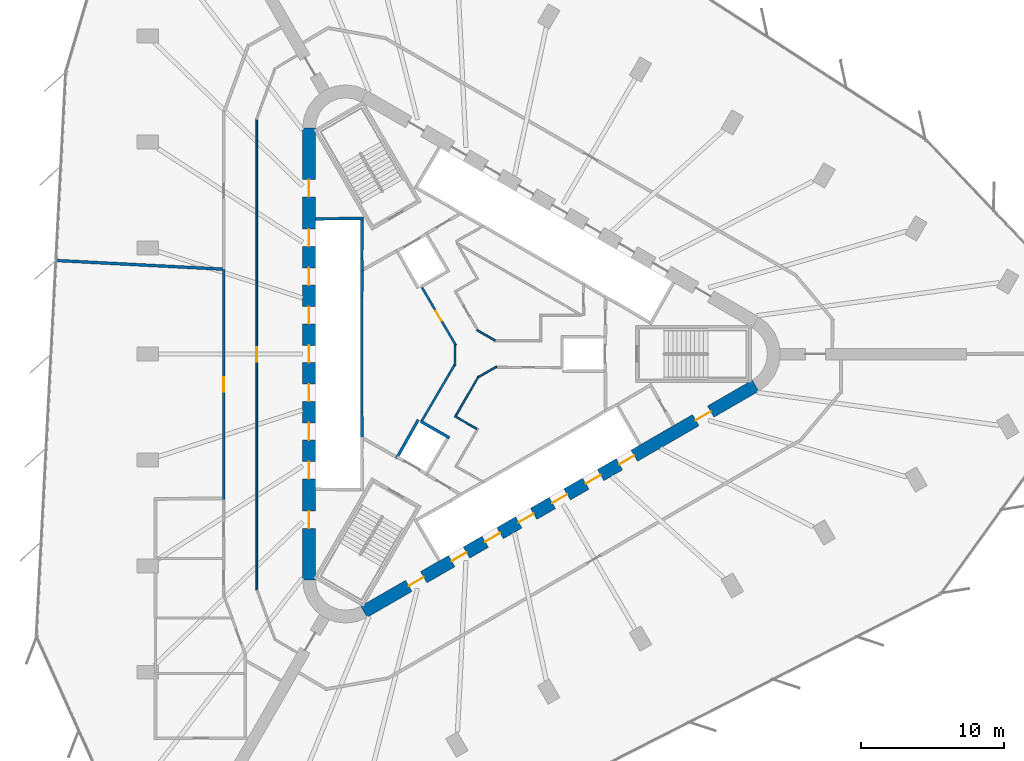
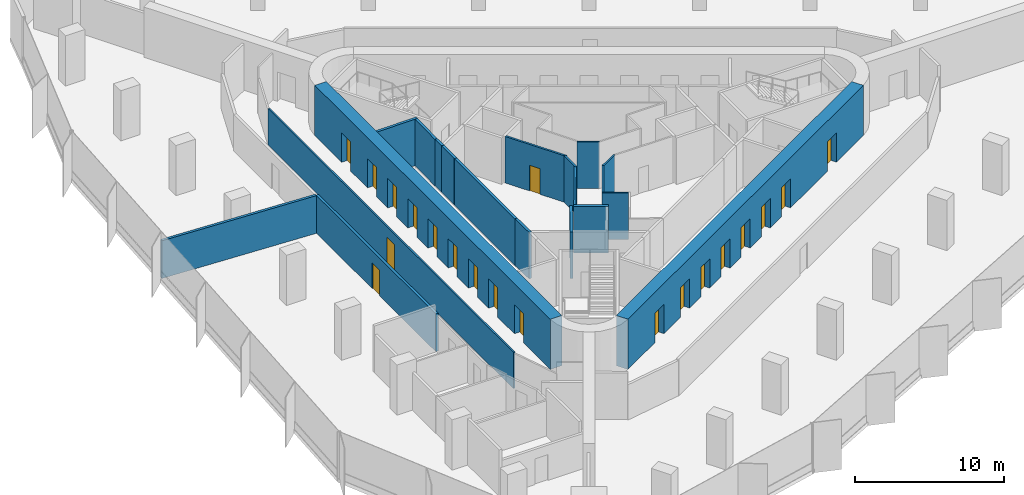
# One storey, part 10 of 14: 20 doors, 20 walls, 20 openings.
"""IFC4 building model written with IfcOpenShell, lengths in metres."""

from ifc_helpers import new_model, si_unit, direction, frame, frame_2d, origin, place, context, subcontext, project, spatial, rectangle, extrude, material, layer, layer_set, type_object, element, fill, save


model = new_model("IFC4")

# Units and contexts
model_context = context("Model", 3, precision=1e-05, world=origin(), true_north=direction((0.0, 1.0)))
body_context = subcontext(model_context, "Body", "Model", "MODEL_VIEW")
ifc_project = project(units=[si_unit("LENGTHUNIT", "METRE"), si_unit("AREAUNIT", "SQUARE_METRE"), si_unit("VOLUMEUNIT", "CUBIC_METRE"), si_unit("PLANEANGLEUNIT", "RADIAN"), si_unit("MASSUNIT", "GRAM", prefix="KILO")], contexts=[model_context])

# Site, building, storey
site_placement = place(None, origin())
site = spatial("IfcSite", under=ifc_project, at=site_placement, CompositionType="ELEMENT")
building_placement = place(site_placement, origin())
building = spatial("IfcBuilding", under=site, at=building_placement, Name="Tanit Gate Tower", CompositionType="ELEMENT")
storey_placement = place(building_placement, frame((0.0, 0.0, 115.199951171875)))
storey = spatial("IfcBuildingStorey", under=building, at=storey_placement, Name="L24", CompositionType="ELEMENT", Elevation=115.199951171875)

# Wall, openings, doors
ifc_material_1 = material(Name="Concrete C60/75", Category="concrete")
ifc_layer_1 = layer(ifc_material_1, 0.89990234375)
ifc_layer_set_1 = layer_set([ifc_layer_1], Name="CORE WALL 900 C60/75")
wall_type_1 = type_object("IfcWallType", Name="CORE WALL 900 C60/75", PredefinedType="SHEAR", material=ifc_layer_set_1)
wall_1_placement = place(storey_placement, frame((-11.64990234375, 15.76171875, 0.0), z_axis=(0.0, 0.0, 1.0), x_axis=(0.0, -1.0, 0.0)))
wall_1 = element("IfcWall", 1, at=wall_1_placement, inside=storey, type_object=wall_type_1, Name="CORE WALL", PredefinedType="SHEAR", context=body_context, shape_type="SweptSolid", body=[
    extrude(rectangle(XDim=31.5234375, YDim=0.89990234375, at=frame_2d((15.76171875, 0.0))), origin(), (0.0, 0.0, 1.0), 4.10009765625),
])
opening_1_placement = place(wall_1_placement, frame((7.061767578125, 0.0, 0.0)))
opening_1 = element("IfcOpeningElement", 2, at=opening_1_placement, cuts=wall_1, Name="Opening LDLL1-S05", PredefinedType="OPENING", context=body_context, shape_type="SweptSolid", body=[
    extrude(rectangle(XDim=1.199951171875, YDim=2.39990234375, at=frame_2d((0.60009765625, 1.199951171875))), frame((0.0, 0.4599609375, 0.0), z_axis=(0.0, -1.0, 0.0), x_axis=(1.0, 0.0, 0.0)), (0.0, 0.0, 1.0), 0.919921875),
])
opening_2_placement = place(wall_1_placement, frame((9.76171875, 0.0, 0.0)))
opening_2 = element("IfcOpeningElement", 3, at=opening_2_placement, cuts=wall_1, Name="Opening LDLL2-S05", PredefinedType="OPENING", context=body_context, shape_type="SweptSolid", body=[
    extrude(rectangle(XDim=1.199951171875, YDim=2.39990234375, at=frame_2d((0.60009765625, 1.199951171875))), frame((0.0, 0.4599609375, 0.0), z_axis=(0.0, -1.0, 0.0), x_axis=(1.0, 0.0, 0.0)), (0.0, 0.0, 1.0), 0.919921875),
])
opening_3_placement = place(wall_1_placement, frame((12.461669921875, 0.0, 0.0)))
opening_3 = element("IfcOpeningElement", 4, at=opening_3_placement, cuts=wall_1, Name="Opening LDLL3-S05", PredefinedType="OPENING", context=body_context, shape_type="SweptSolid", body=[
    extrude(rectangle(XDim=1.199951171875, YDim=2.39990234375, at=frame_2d((0.60009765625, 1.199951171875))), frame((0.0, 0.4599609375, 0.0), z_axis=(0.0, -1.0, 0.0), x_axis=(1.0, 0.0, 0.0)), (0.0, 0.0, 1.0), 0.919921875),
])
opening_4_placement = place(wall_1_placement, frame((15.16162109375, 0.0, 0.0)))
opening_4 = element("IfcOpeningElement", 5, at=opening_4_placement, cuts=wall_1, Name="Opening LDLL4-S05", PredefinedType="OPENING", context=body_context, shape_type="SweptSolid", body=[
    extrude(rectangle(XDim=1.199951171875, YDim=2.39990234375, at=frame_2d((0.60009765625, 1.199951171875))), frame((0.0, 0.4599609375, 0.0), z_axis=(0.0, -1.0, 0.0), x_axis=(1.0, 0.0, 0.0)), (0.0, 0.0, 1.0), 0.919921875),
])
opening_5_placement = place(wall_1_placement, frame((17.86181640625, 0.0, 0.0)))
opening_5 = element("IfcOpeningElement", 6, at=opening_5_placement, cuts=wall_1, Name="Opening LDLL5-S05", PredefinedType="OPENING", context=body_context, shape_type="SweptSolid", body=[
    extrude(rectangle(XDim=1.199951171875, YDim=2.39990234375, at=frame_2d((0.60009765625, 1.199951171875))), frame((0.0, 0.4599609375, 0.0), z_axis=(0.0, -1.0, 0.0), x_axis=(1.0, 0.0, 0.0)), (0.0, 0.0, 1.0), 0.919921875),
])
opening_6_placement = place(wall_1_placement, frame((20.561767578125, 0.0, 0.0)))
opening_6 = element("IfcOpeningElement", 7, at=opening_6_placement, cuts=wall_1, Name="Opening LDLL6-S05", PredefinedType="OPENING", context=body_context, shape_type="SweptSolid", body=[
    extrude(rectangle(XDim=1.199951171875, YDim=2.39990234375, at=frame_2d((0.60009765625, 1.199951171875))), frame((0.0, 0.4599609375, 0.0), z_axis=(0.0, -1.0, 0.0), x_axis=(1.0, 0.0, 0.0)), (0.0, 0.0, 1.0), 0.919921875),
])
opening_7_placement = place(wall_1_placement, frame((23.26171875, 0.0, 0.0)))
opening_7 = element("IfcOpeningElement", 8, at=opening_7_placement, cuts=wall_1, Name="Opening LDLL7-S05", PredefinedType="OPENING", context=body_context, shape_type="SweptSolid", body=[
    extrude(rectangle(XDim=1.199951171875, YDim=2.39990234375, at=frame_2d((0.60009765625, 1.199951171875))), frame((0.0, 0.4599609375, 0.0), z_axis=(0.0, -1.0, 0.0), x_axis=(1.0, 0.0, 0.0)), (0.0, 0.0, 1.0), 0.919921875),
])
opening_8_placement = place(wall_1_placement, frame((3.61181640625, 0.0, 0.0)))
opening_8 = element("IfcOpeningElement", 9, at=opening_8_placement, cuts=wall_1, Name="Opening F12-S05-FL2", PredefinedType="OPENING", context=body_context, shape_type="SweptSolid", body=[
    extrude(rectangle(XDim=1.199951171875, YDim=2.39990234375, at=frame_2d((0.60009765625, 1.199951171875))), frame((0.0, 0.4599609375, 0.0), z_axis=(0.0, -1.0, 0.0), x_axis=(1.0, 0.0, 0.0)), (0.0, 0.0, 1.0), 0.919921875),
])
opening_9_placement = place(wall_1_placement, frame((26.711669921875, 0.0, 0.0)))
opening_9 = element("IfcOpeningElement", 10, at=opening_9_placement, cuts=wall_1, Name="Opening F12-S05-S3", PredefinedType="OPENING", context=body_context, shape_type="SweptSolid", body=[
    extrude(rectangle(XDim=1.199951171875, YDim=2.39990234375, at=frame_2d((0.60009765625, 1.199951171875))), frame((0.0, 0.4599609375, 0.0), z_axis=(0.0, -1.0, 0.0), x_axis=(1.0, 0.0, 0.0)), (0.0, 0.0, 1.0), 0.919921875),
])
ifc_material_2 = material(Name="Fire-rated steel door leaf", Category="steel")
door_type_1 = type_object("IfcDoorType", Name="INT-DOOR-FIRE-LOBBY-1200", OperationType="NOTDEFINED", PredefinedType="USERDEFINED", material=ifc_material_2)
door_1_placement = place(opening_8_placement, origin())
door_1 = element("IfcDoor", 11, at=door_1_placement, inside=storey, type_object=door_type_1, Name="Door F12-S05-FL2", ObjectType="FIRE DOOR", OperationType="SINGLE_SWING_LEFT", OverallHeight=2.39990234375, OverallWidth=1.199951171875, PredefinedType="USERDEFINED", context=body_context, shape_type="SweptSolid", body=[
    extrude(rectangle(XDim=1.199951171875, YDim=2.39990234375, at=frame_2d((0.60009765625, 1.199951171875))), frame((0.0, 0.02490234375, 0.0), z_axis=(0.0, -1.0, 0.0), x_axis=(1.0, 0.0, 0.0)), (0.0, 0.0, 1.0), 0.050048828125),
])
fill(opening_8, door_1)
door_2_placement = place(opening_9_placement, origin())
door_2 = element("IfcDoor", 12, at=door_2_placement, inside=storey, type_object=door_type_1, Name="Door F12-S05-S3", ObjectType="FIRE DOOR", OperationType="SINGLE_SWING_LEFT", OverallHeight=2.39990234375, OverallWidth=1.199951171875, PredefinedType="USERDEFINED", context=body_context, shape_type="SweptSolid", body=[
    extrude(rectangle(XDim=1.199951171875, YDim=2.39990234375, at=frame_2d((0.60009765625, 1.199951171875))), frame((0.0, 0.02490234375, 0.0), z_axis=(0.0, -1.0, 0.0), x_axis=(1.0, 0.0, 0.0)), (0.0, 0.0, 1.0), 0.050048828125),
])
fill(opening_9, door_2)
ifc_material_3 = material(Name="Stainless steel sliding door leaf", Category="steel")
door_type_2 = type_object("IfcDoorType", Name="INT-DOOR-LANDING-1200", OperationType="NOTDEFINED", PredefinedType="USERDEFINED", material=ifc_material_3)
door_3_placement = place(opening_1_placement, origin())
door_3 = element("IfcDoor", 13, at=door_3_placement, inside=storey, type_object=door_type_2, Name="Door LDLL1-S05", ObjectType="LANDING DOOR", OperationType="SLIDING_TO_LEFT", OverallHeight=2.39990234375, OverallWidth=1.199951171875, PredefinedType="USERDEFINED", context=body_context, shape_type="SweptSolid", body=[
    extrude(rectangle(XDim=1.199951171875, YDim=2.39990234375, at=frame_2d((0.60009765625, 1.199951171875))), frame((0.0, 0.02490234375, 0.0), z_axis=(0.0, -1.0, 0.0), x_axis=(1.0, 0.0, 0.0)), (0.0, 0.0, 1.0), 0.050048828125),
])
fill(opening_1, door_3)
door_4_placement = place(opening_2_placement, origin())
door_4 = element("IfcDoor", 14, at=door_4_placement, inside=storey, type_object=door_type_2, Name="Door LDLL2-S05", ObjectType="LANDING DOOR", OperationType="SLIDING_TO_LEFT", OverallHeight=2.39990234375, OverallWidth=1.199951171875, PredefinedType="USERDEFINED", context=body_context, shape_type="SweptSolid", body=[
    extrude(rectangle(XDim=1.199951171875, YDim=2.39990234375, at=frame_2d((0.60009765625, 1.199951171875))), frame((0.0, 0.02490234375, 0.0), z_axis=(0.0, -1.0, 0.0), x_axis=(1.0, 0.0, 0.0)), (0.0, 0.0, 1.0), 0.050048828125),
])
fill(opening_2, door_4)
door_5_placement = place(opening_3_placement, origin())
door_5 = element("IfcDoor", 15, at=door_5_placement, inside=storey, type_object=door_type_2, Name="Door LDLL3-S05", ObjectType="LANDING DOOR", OperationType="SLIDING_TO_LEFT", OverallHeight=2.39990234375, OverallWidth=1.199951171875, PredefinedType="USERDEFINED", context=body_context, shape_type="SweptSolid", body=[
    extrude(rectangle(XDim=1.199951171875, YDim=2.39990234375, at=frame_2d((0.60009765625, 1.199951171875))), frame((0.0, 0.02490234375, 0.0), z_axis=(0.0, -1.0, 0.0), x_axis=(1.0, 0.0, 0.0)), (0.0, 0.0, 1.0), 0.050048828125),
])
fill(opening_3, door_5)
door_6_placement = place(opening_4_placement, origin())
door_6 = element("IfcDoor", 16, at=door_6_placement, inside=storey, type_object=door_type_2, Name="Door LDLL4-S05", ObjectType="LANDING DOOR", OperationType="SLIDING_TO_LEFT", OverallHeight=2.39990234375, OverallWidth=1.199951171875, PredefinedType="USERDEFINED", context=body_context, shape_type="SweptSolid", body=[
    extrude(rectangle(XDim=1.199951171875, YDim=2.39990234375, at=frame_2d((0.60009765625, 1.199951171875))), frame((0.0, 0.02490234375, 0.0), z_axis=(0.0, -1.0, 0.0), x_axis=(1.0, 0.0, 0.0)), (0.0, 0.0, 1.0), 0.050048828125),
])
fill(opening_4, door_6)
door_7_placement = place(opening_5_placement, origin())
door_7 = element("IfcDoor", 17, at=door_7_placement, inside=storey, type_object=door_type_2, Name="Door LDLL5-S05", ObjectType="LANDING DOOR", OperationType="SLIDING_TO_LEFT", OverallHeight=2.39990234375, OverallWidth=1.199951171875, PredefinedType="USERDEFINED", context=body_context, shape_type="SweptSolid", body=[
    extrude(rectangle(XDim=1.199951171875, YDim=2.39990234375, at=frame_2d((0.60009765625, 1.199951171875))), frame((0.0, 0.02490234375, 0.0), z_axis=(0.0, -1.0, 0.0), x_axis=(1.0, 0.0, 0.0)), (0.0, 0.0, 1.0), 0.050048828125),
])
fill(opening_5, door_7)
door_8_placement = place(opening_6_placement, origin())
door_8 = element("IfcDoor", 18, at=door_8_placement, inside=storey, type_object=door_type_2, Name="Door LDLL6-S05", ObjectType="LANDING DOOR", OperationType="SLIDING_TO_LEFT", OverallHeight=2.39990234375, OverallWidth=1.199951171875, PredefinedType="USERDEFINED", context=body_context, shape_type="SweptSolid", body=[
    extrude(rectangle(XDim=1.199951171875, YDim=2.39990234375, at=frame_2d((0.60009765625, 1.199951171875))), frame((0.0, 0.02490234375, 0.0), z_axis=(0.0, -1.0, 0.0), x_axis=(1.0, 0.0, 0.0)), (0.0, 0.0, 1.0), 0.050048828125),
])
fill(opening_6, door_8)
door_9_placement = place(opening_7_placement, origin())
door_9 = element("IfcDoor", 19, at=door_9_placement, inside=storey, type_object=door_type_2, Name="Door LDLL7-S05", ObjectType="LANDING DOOR", OperationType="SLIDING_TO_LEFT", OverallHeight=2.39990234375, OverallWidth=1.199951171875, PredefinedType="USERDEFINED", context=body_context, shape_type="SweptSolid", body=[
    extrude(rectangle(XDim=1.199951171875, YDim=2.39990234375, at=frame_2d((0.60009765625, 1.199951171875))), frame((0.0, 0.02490234375, 0.0), z_axis=(0.0, -1.0, 0.0), x_axis=(1.0, 0.0, 0.0)), (0.0, 0.0, 1.0), 0.050048828125),
])
fill(opening_7, door_9)

wall_2_placement = place(storey_placement, frame((-7.824951171875, -17.969970703125, 0.0), z_axis=(0.0, 0.0, 1.0), x_axis=(0.866028369851, 0.499994862586, 0.0)))
wall_2 = element("IfcWall", 20, at=wall_2_placement, inside=storey, type_object=wall_type_1, Name="CORE WALL", PredefinedType="SHEAR", context=body_context, shape_type="SweptSolid", body=[
    extrude(rectangle(XDim=31.523193359375, YDim=0.89990234375, at=frame_2d((15.76171875, 0.0))), origin(), (0.0, 0.0, 1.0), 4.10009765625),
])
opening_10_placement = place(wall_2_placement, frame((7.061767578125, 0.0, 0.0)))
opening_10 = element("IfcOpeningElement", 21, at=opening_10_placement, cuts=wall_2, Name="Opening LDSX1-S05", PredefinedType="OPENING", context=body_context, shape_type="SweptSolid", body=[
    extrude(rectangle(XDim=1.199951171875, YDim=2.39990234375, at=frame_2d((0.60009765625, 1.199951171875))), frame((0.0, 0.4599609375, 0.0), z_axis=(0.0, -1.0, 0.0), x_axis=(1.0, 0.0, 0.0)), (0.0, 0.0, 1.0), 0.919921875),
])
opening_11_placement = place(wall_2_placement, frame((9.76171875, 0.0, 0.0)))
opening_11 = element("IfcOpeningElement", 22, at=opening_11_placement, cuts=wall_2, Name="Opening LDSX2-S05", PredefinedType="OPENING", context=body_context, shape_type="SweptSolid", body=[
    extrude(rectangle(XDim=1.199951171875, YDim=2.39990234375, at=frame_2d((0.60009765625, 1.199951171875))), frame((0.0, 0.4599609375, 0.0), z_axis=(0.0, -1.0, 0.0), x_axis=(1.0, 0.0, 0.0)), (0.0, 0.0, 1.0), 0.919921875),
])
opening_12_placement = place(wall_2_placement, frame((12.461669921875, 0.0, 0.0)))
opening_12 = element("IfcOpeningElement", 23, at=opening_12_placement, cuts=wall_2, Name="Opening LDSX3-S05", PredefinedType="OPENING", context=body_context, shape_type="SweptSolid", body=[
    extrude(rectangle(XDim=1.199951171875, YDim=2.39990234375, at=frame_2d((0.60009765625, 1.199951171875))), frame((0.0, 0.4599609375, 0.0), z_axis=(0.0, -1.0, 0.0), x_axis=(1.0, 0.0, 0.0)), (0.0, 0.0, 1.0), 0.919921875),
])
opening_13_placement = place(wall_2_placement, frame((15.16162109375, 0.0, 0.0)))
opening_13 = element("IfcOpeningElement", 24, at=opening_13_placement, cuts=wall_2, Name="Opening LDSX4-S05", PredefinedType="OPENING", context=body_context, shape_type="SweptSolid", body=[
    extrude(rectangle(XDim=1.199951171875, YDim=2.39990234375, at=frame_2d((0.60009765625, 1.199951171875))), frame((0.0, 0.4599609375, 0.0), z_axis=(0.0, -1.0, 0.0), x_axis=(1.0, 0.0, 0.0)), (0.0, 0.0, 1.0), 0.919921875),
])
opening_14_placement = place(wall_2_placement, frame((17.861572265625, 0.0, 0.0)))
opening_14 = element("IfcOpeningElement", 25, at=opening_14_placement, cuts=wall_2, Name="Opening LDSV1-S05", PredefinedType="OPENING", context=body_context, shape_type="SweptSolid", body=[
    extrude(rectangle(XDim=1.199951171875, YDim=2.39990234375, at=frame_2d((0.60009765625, 1.199951171875))), frame((0.0, 0.4599609375, 0.0), z_axis=(0.0, -1.0, 0.0), x_axis=(1.0, 0.0, 0.0)), (0.0, 0.0, 1.0), 0.919921875),
])
opening_15_placement = place(wall_2_placement, frame((20.561767578125, 0.0, 0.0)))
opening_15 = element("IfcOpeningElement", 26, at=opening_15_placement, cuts=wall_2, Name="Opening LDSV2-S05", PredefinedType="OPENING", context=body_context, shape_type="SweptSolid", body=[
    extrude(rectangle(XDim=1.199951171875, YDim=2.39990234375, at=frame_2d((0.60009765625, 1.199951171875))), frame((0.0, 0.4599609375, 0.0), z_axis=(0.0, -1.0, 0.0), x_axis=(1.0, 0.0, 0.0)), (0.0, 0.0, 1.0), 0.919921875),
])
opening_16_placement = place(wall_2_placement, frame((26.711669921875, 0.0, 0.0)))
opening_16 = element("IfcOpeningElement", 27, at=opening_16_placement, cuts=wall_2, Name="Opening F12-S05-S1", PredefinedType="OPENING", context=body_context, shape_type="SweptSolid", body=[
    extrude(rectangle(XDim=1.199951171875, YDim=2.39990234375, at=frame_2d((0.60009765625, 1.199951171875))), frame((0.0, 0.4599609375, 0.0), z_axis=(0.0, -1.0, 0.0), x_axis=(1.0, 0.0, 0.0)), (0.0, 0.0, 1.0), 0.919921875),
])
opening_17_placement = place(wall_2_placement, frame((3.611572265625, 0.0, 0.0)))
opening_17 = element("IfcOpeningElement", 28, at=opening_17_placement, cuts=wall_2, Name="Opening F12-S05-FL3", PredefinedType="OPENING", context=body_context, shape_type="SweptSolid", body=[
    extrude(rectangle(XDim=1.199951171875, YDim=2.39990234375, at=frame_2d((0.60009765625, 1.199951171875))), frame((0.0, 0.4599609375, 0.0), z_axis=(0.0, -1.0, 0.0), x_axis=(1.0, 0.0, 0.0)), (0.0, 0.0, 1.0), 0.919921875),
])
door_10_placement = place(opening_16_placement, origin())
door_10 = element("IfcDoor", 29, at=door_10_placement, inside=storey, type_object=door_type_1, Name="Door F12-S05-S1", ObjectType="FIRE DOOR", OperationType="SINGLE_SWING_RIGHT", OverallHeight=2.39990234375, OverallWidth=1.199951171875, PredefinedType="USERDEFINED", context=body_context, shape_type="SweptSolid", body=[
    extrude(rectangle(XDim=1.199951171875, YDim=2.39990234375, at=frame_2d((0.60009765625, 1.199951171875))), frame((0.0, 0.02490234375, 0.0), z_axis=(0.0, -1.0, 0.0), x_axis=(1.0, 0.0, 0.0)), (0.0, 0.0, 1.0), 0.050048828125),
])
fill(opening_16, door_10)
door_11_placement = place(opening_17_placement, origin())
door_11 = element("IfcDoor", 30, at=door_11_placement, inside=storey, type_object=door_type_1, Name="Door F12-S05-FL3", ObjectType="FIRE DOOR", OperationType="SINGLE_SWING_RIGHT", OverallHeight=2.39990234375, OverallWidth=1.199951171875, PredefinedType="USERDEFINED", context=body_context, shape_type="SweptSolid", body=[
    extrude(rectangle(XDim=1.199951171875, YDim=2.39990234375, at=frame_2d((0.60009765625, 1.199951171875))), frame((0.0, 0.02490234375, 0.0), z_axis=(0.0, -1.0, 0.0), x_axis=(1.0, 0.0, 0.0)), (0.0, 0.0, 1.0), 0.050048828125),
])
fill(opening_17, door_11)
door_12_placement = place(opening_10_placement, origin())
door_12 = element("IfcDoor", 31, at=door_12_placement, inside=storey, type_object=door_type_2, Name="Door LDSX1-S05", ObjectType="LANDING DOOR", OperationType="SLIDING_TO_LEFT", OverallHeight=2.39990234375, OverallWidth=1.199951171875, PredefinedType="USERDEFINED", context=body_context, shape_type="SweptSolid", body=[
    extrude(rectangle(XDim=1.199951171875, YDim=2.39990234375, at=frame_2d((0.60009765625, 1.199951171875))), frame((0.0, 0.02490234375, 0.0), z_axis=(0.0, -1.0, 0.0), x_axis=(1.0, 0.0, 0.0)), (0.0, 0.0, 1.0), 0.050048828125),
])
fill(opening_10, door_12)
door_13_placement = place(opening_11_placement, origin())
door_13 = element("IfcDoor", 32, at=door_13_placement, inside=storey, type_object=door_type_2, Name="Door LDSX2-S05", ObjectType="LANDING DOOR", OperationType="SLIDING_TO_LEFT", OverallHeight=2.39990234375, OverallWidth=1.199951171875, PredefinedType="USERDEFINED", context=body_context, shape_type="SweptSolid", body=[
    extrude(rectangle(XDim=1.199951171875, YDim=2.39990234375, at=frame_2d((0.60009765625, 1.199951171875))), frame((0.0, 0.02490234375, 0.0), z_axis=(0.0, -1.0, 0.0), x_axis=(1.0, 0.0, 0.0)), (0.0, 0.0, 1.0), 0.050048828125),
])
fill(opening_11, door_13)
door_14_placement = place(opening_12_placement, origin())
door_14 = element("IfcDoor", 33, at=door_14_placement, inside=storey, type_object=door_type_2, Name="Door LDSX3-S05", ObjectType="LANDING DOOR", OperationType="SLIDING_TO_LEFT", OverallHeight=2.39990234375, OverallWidth=1.199951171875, PredefinedType="USERDEFINED", context=body_context, shape_type="SweptSolid", body=[
    extrude(rectangle(XDim=1.199951171875, YDim=2.39990234375, at=frame_2d((0.60009765625, 1.199951171875))), frame((0.0, 0.02490234375, 0.0), z_axis=(0.0, -1.0, 0.0), x_axis=(1.0, 0.0, 0.0)), (0.0, 0.0, 1.0), 0.050048828125),
])
fill(opening_12, door_14)
door_15_placement = place(opening_13_placement, origin())
door_15 = element("IfcDoor", 34, at=door_15_placement, inside=storey, type_object=door_type_2, Name="Door LDSX4-S05", ObjectType="LANDING DOOR", OperationType="SLIDING_TO_LEFT", OverallHeight=2.39990234375, OverallWidth=1.199951171875, PredefinedType="USERDEFINED", context=body_context, shape_type="SweptSolid", body=[
    extrude(rectangle(XDim=1.199951171875, YDim=2.39990234375, at=frame_2d((0.60009765625, 1.199951171875))), frame((0.0, 0.02490234375, 0.0), z_axis=(0.0, -1.0, 0.0), x_axis=(1.0, 0.0, 0.0)), (0.0, 0.0, 1.0), 0.050048828125),
])
fill(opening_13, door_15)
door_16_placement = place(opening_14_placement, origin())
door_16 = element("IfcDoor", 35, at=door_16_placement, inside=storey, type_object=door_type_2, Name="Door LDSV1-S05", ObjectType="LANDING DOOR", OperationType="SLIDING_TO_LEFT", OverallHeight=2.39990234375, OverallWidth=1.199951171875, PredefinedType="USERDEFINED", context=body_context, shape_type="SweptSolid", body=[
    extrude(rectangle(XDim=1.199951171875, YDim=2.39990234375, at=frame_2d((0.60009765625, 1.199951171875))), frame((0.0, 0.02490234375, 0.0), z_axis=(0.0, -1.0, 0.0), x_axis=(1.0, 0.0, 0.0)), (0.0, 0.0, 1.0), 0.050048828125),
])
fill(opening_14, door_16)
door_17_placement = place(opening_15_placement, origin())
door_17 = element("IfcDoor", 36, at=door_17_placement, inside=storey, type_object=door_type_2, Name="Door LDSV2-S05", ObjectType="LANDING DOOR", OperationType="SLIDING_TO_LEFT", OverallHeight=2.39990234375, OverallWidth=1.199951171875, PredefinedType="USERDEFINED", context=body_context, shape_type="SweptSolid", body=[
    extrude(rectangle(XDim=1.199951171875, YDim=2.39990234375, at=frame_2d((0.60009765625, 1.199951171875))), frame((0.0, 0.02490234375, 0.0), z_axis=(0.0, -1.0, 0.0), x_axis=(1.0, 0.0, 0.0)), (0.0, 0.0, 1.0), 0.050048828125),
])
fill(opening_15, door_17)

# Wall, opening, door
ifc_material_4 = material(Name="Fire-rated gypsum board partition")
ifc_layer_2 = layer(ifc_material_4, 0.199951171875)
ifc_layer_set_2 = layer_set([ifc_layer_2], Name="INT-WALL-COMPARTMENT")
wall_type_2 = type_object("IfcWallType", Name="INT-WALL-COMPARTMENT", PredefinedType="PARTITIONING", material=ifc_layer_set_2)
wall_3_placement = place(storey_placement, frame((-17.60009765625, 5.888427734375, 0.0), z_axis=(0.0, 0.0, 1.0), x_axis=(0.0, -1.0, 0.0)))
wall_3 = element("IfcWall", 37, at=wall_3_placement, inside=storey, type_object=wall_type_2, Name="Wall Compartment W089", PredefinedType="PARTITIONING", context=body_context, shape_type="SweptSolid", body=[
    extrude(rectangle(XDim=16.018310546875, YDim=0.199951171875, at=frame_2d((8.00927734375, 0.0))), origin(), (0.0, 0.0, 1.0), 3.080078125),
])
opening_18_placement = place(wall_3_placement, frame((7.50927734375, 0.0, 0.0)))
opening_18 = element("IfcOpeningElement", 38, at=opening_18_placement, cuts=wall_3, Name="Opening F10-S05-20", PredefinedType="OPENING", context=body_context, shape_type="SweptSolid", body=[
    extrude(rectangle(XDim=1.0, YDim=2.10009765625, at=frame_2d((0.5, 1.050048828125))), frame((0.0, 0.10986328125, 0.0), z_axis=(0.0, -1.0, 0.0), x_axis=(1.0, 0.0, 0.0)), (0.0, 0.0, 1.0), 0.219970703125),
])
ifc_material_5 = material(Name="Fire-rated steel door leaf", Category="steel")
door_type_3 = type_object("IfcDoorType", Name="INT-DOOR-FIRE-1000", OperationType="NOTDEFINED", PredefinedType="USERDEFINED", material=ifc_material_5)
door_18_placement = place(opening_18_placement, origin())
door_18 = element("IfcDoor", 39, at=door_18_placement, inside=storey, type_object=door_type_3, Name="Door F10-S05-20", ObjectType="FIRE DOOR", OperationType="SINGLE_SWING_RIGHT", OverallHeight=2.10009765625, OverallWidth=1.0, PredefinedType="USERDEFINED", context=body_context, shape_type="SweptSolid", body=[
    extrude(rectangle(XDim=1.0, YDim=2.10009765625, at=frame_2d((0.5, 1.050048828125))), frame((0.0, 0.02490234375, 0.0), z_axis=(0.0, -1.0, 0.0), x_axis=(1.0, 0.0, 0.0)), (0.0, 0.0, 1.0), 0.050048828125),
])
fill(opening_18, door_18)

# Walls
wall_4_placement = place(storey_placement, frame((-17.699951171875, 5.916259765625, 0.0), z_axis=(0.0, 0.0, 1.0), x_axis=(-0.998647121722, 0.051999291111, 0.0)))
element("IfcWall", 40, at=wall_4_placement, inside=storey, type_object=wall_type_2, Name="Wall Compartment W109", PredefinedType="PARTITIONING", context=body_context, shape_type="SweptSolid", body=[
    extrude(rectangle(XDim=11.61083984375, YDim=0.199951171875, at=frame_2d((5.805419921875, 0.0))), origin(), (0.0, 0.0, 1.0), 3.080078125),
])
ifc_material_6 = material(Name="Gypsum board partition")
ifc_layer_3 = layer(ifc_material_6, 0.1201171875)
ifc_layer_set_3 = layer_set([ifc_layer_3], Name="INT-WALL-PARTITION")
wall_type_3 = type_object("IfcWallType", Name="INT-WALL-PARTITION", PredefinedType="PARTITIONING", material=ifc_layer_set_3)
wall_5_placement = place(storey_placement, frame((-1.5009765625, -4.32958984375, 0.0), z_axis=(0.0, 0.0, 1.0), x_axis=(0.866059624469, -0.499940723351, 0.0)))
element("IfcWall", 41, at=wall_5_placement, inside=storey, type_object=wall_type_3, Name="Wall Partition W070", PredefinedType="PARTITIONING", context=body_context, shape_type="SweptSolid", body=[
    extrude(rectangle(XDim=1.775146484375, YDim=0.1201171875, at=frame_2d((0.8876953125, 0.0))), origin(), (0.0, 0.0, 1.0), 3.800048828125),
])
wall_6_placement = place(storey_placement, frame((0.181884765625, -1.534912109375, 0.0), z_axis=(0.0, 0.0, 1.0), x_axis=(-0.500001886891, -0.866024314385, 0.0)))
element("IfcWall", 42, at=wall_6_placement, inside=storey, type_object=wall_type_3, Name="Wall Partition W071", PredefinedType="PARTITIONING", context=body_context, shape_type="SweptSolid", body=[
    extrude(rectangle(XDim=3.20166015625, YDim=0.1201171875, at=frame_2d((1.600830078125, 0.0))), origin(), (0.0, 0.0, 1.0), 3.800048828125),
])
wall_7_placement = place(storey_placement, frame((1.43115234375, -0.873779296875, 0.0), z_axis=(0.0, 0.0, 1.0), x_axis=(-0.866037643702, -0.499978799242, 0.0)))
element("IfcWall", 43, at=wall_7_placement, inside=storey, type_object=wall_type_3, Name="Wall Partition W072", PredefinedType="PARTITIONING", context=body_context, shape_type="SweptSolid", body=[
    extrude(rectangle(XDim=1.48388671875, YDim=0.1201171875, at=frame_2d((0.741943359375, 0.0))), origin(), (0.0, 0.0, 1.0), 3.800048828125),
])
wall_8_placement = place(storey_placement, frame((0.039794921875, 1.677001953125, 0.0), z_axis=(0.0, 0.0, 1.0), x_axis=(0.866029572143, -0.499992780121, 0.0)))
element("IfcWall", 44, at=wall_8_placement, inside=storey, type_object=wall_type_3, Name="Wall Partition W080", PredefinedType="PARTITIONING", context=body_context, shape_type="SweptSolid", body=[
    extrude(rectangle(XDim=1.4853515625, YDim=0.1201171875, at=frame_2d((0.74267578125, 0.0))), origin(), (0.0, 0.0, 1.0), 3.800048828125),
])

# Wall, opening, door
wall_9_placement = place(storey_placement, frame((-15.300048828125, 16.34521484375, 0.0), z_axis=(0.0, 0.0, 1.0), x_axis=(0.0, -1.0, 0.0)))
wall_9 = element("IfcWall", 45, at=wall_9_placement, inside=storey, type_object=wall_type_3, Name="Wall Partition W086", PredefinedType="PARTITIONING", context=body_context, shape_type="SweptSolid", body=[
    extrude(rectangle(XDim=32.810546875, YDim=0.1201171875, at=frame_2d((16.4052734375, 0.0))), origin(), (0.0, 0.0, 1.0), 2.97998046875),
])
opening_19_placement = place(wall_9_placement, frame((15.875244140625, 0.0, 0.0)))
opening_19 = element("IfcOpeningElement", 46, at=opening_19_placement, cuts=wall_9, Name="Opening D10-S05-15", PredefinedType="OPENING", context=body_context, shape_type="SweptSolid", body=[
    extrude(rectangle(XDim=1.0, YDim=2.10009765625, at=frame_2d((0.5, 1.050048828125))), frame((0.0, 0.070068359375, 0.0), z_axis=(0.0, -1.0, 0.0), x_axis=(1.0, 0.0, 0.0)), (0.0, 0.0, 1.0), 0.14013671875),
])
ifc_material_7 = material(Name="Timber door leaf", Category="wood")
door_type_4 = type_object("IfcDoorType", Name="INT-DOOR-SINGLE-1000", OperationType="NOTDEFINED", PredefinedType="NOTDEFINED", material=ifc_material_7)
door_19_placement = place(opening_19_placement, origin())
door_19 = element("IfcDoor", 47, at=door_19_placement, inside=storey, type_object=door_type_4, Name="Door D10-S05-15", OperationType="SINGLE_SWING_LEFT", OverallHeight=2.10009765625, OverallWidth=1.0, PredefinedType="NOTDEFINED", context=body_context, shape_type="SweptSolid", body=[
    extrude(rectangle(XDim=1.0, YDim=2.10009765625, at=frame_2d((0.5, 1.050048828125))), frame((0.0, 0.02490234375, 0.0), z_axis=(0.0, -1.0, 0.0), x_axis=(1.0, 0.0, 0.0)), (0.0, 0.0, 1.0), 0.050048828125),
])
fill(opening_19, door_19)

ifc_material_8 = material(Name="Fire-rated gypsum board partition")
ifc_layer_4 = layer(ifc_material_8, 0.14990234375)
ifc_layer_set_4 = layer_set([ifc_layer_4], Name="INT-WALL-RISER")
wall_type_4 = type_object("IfcWallType", Name="INT-WALL-RISER", PredefinedType="PLUMBINGWALL", material=ifc_layer_set_4)
wall_10_placement = place(storey_placement, frame((-1.407470703125, 0.589599609375, 0.0), z_axis=(0.0, 0.0, 1.0), x_axis=(-0.505502864584, 0.862824926562, 0.0)))
wall_10 = element("IfcWall", 48, at=wall_10_placement, inside=storey, type_object=wall_type_4, Name="Wall Riser W065", PredefinedType="PLUMBINGWALL", context=body_context, shape_type="SweptSolid", body=[
    extrude(rectangle(XDim=4.685791015625, YDim=0.14990234375, at=frame_2d((2.3427734375, 0.0))), origin(), (0.0, 0.0, 1.0), 3.800048828125),
])
opening_20_placement = place(wall_10_placement, frame((2.0068359375, 0.0, 0.0)))
opening_20 = element("IfcOpeningElement", 49, at=opening_20_placement, cuts=wall_10, Name="Opening R08-S05-10", PredefinedType="OPENING", context=body_context, shape_type="SweptSolid", body=[
    extrude(rectangle(XDim=0.800048828125, YDim=2.10009765625, at=frame_2d((0.39990234375, 1.050048828125))), frame((0.0, 0.0849609375, 0.0), z_axis=(0.0, -1.0, 0.0), x_axis=(1.0, 0.0, 0.0)), (0.0, 0.0, 1.0), 0.169921875),
])
ifc_material_9 = material(Name="Timber door leaf", Category="wood")
door_type_5 = type_object("IfcDoorType", Name="INT-DOOR-RISER-800", OperationType="NOTDEFINED", PredefinedType="USERDEFINED", material=ifc_material_9)
door_20_placement = place(opening_20_placement, origin())
door_20 = element("IfcDoor", 50, at=door_20_placement, inside=storey, type_object=door_type_5, Name="Door R08-S05-10", ObjectType="FIRE DOOR", OperationType="SINGLE_SWING_LEFT", OverallHeight=2.10009765625, OverallWidth=0.800048828125, PredefinedType="USERDEFINED", context=body_context, shape_type="SweptSolid", body=[
    extrude(rectangle(XDim=0.800048828125, YDim=2.10009765625, at=frame_2d((0.39990234375, 1.050048828125))), frame((0.0, 0.02490234375, 0.0), z_axis=(0.0, -1.0, 0.0), x_axis=(1.0, 0.0, 0.0)), (0.0, 0.0, 1.0), 0.050048828125),
])
fill(opening_20, door_20)

# Walls
wall_11_placement = place(storey_placement, frame((-1.47216796875, -0.828125, 0.0), z_axis=(0.0, 0.0, 1.0), x_axis=(0.0, 1.0, 0.0)))
element("IfcWall", 51, at=wall_11_placement, inside=storey, type_object=wall_type_4, Name="Wall Riser W066", PredefinedType="PLUMBINGWALL", context=body_context, shape_type="SweptSolid", body=[
    extrude(rectangle(XDim=1.504638671875, YDim=0.14990234375, at=frame_2d((0.75244140625, 0.0))), origin(), (0.0, 0.0, 1.0), 3.800048828125),
])
wall_12_placement = place(storey_placement, frame((-3.776123046875, -4.632568359375, 0.0), z_axis=(0.0, 0.0, 1.0), x_axis=(0.505503910315, 0.8628243139, 0.0)))
element("IfcWall", 52, at=wall_12_placement, inside=storey, type_object=wall_type_4, Name="Wall Riser W067", PredefinedType="PLUMBINGWALL", context=body_context, shape_type="SweptSolid", body=[
    extrude(rectangle(XDim=4.5341796875, YDim=0.14990234375, at=frame_2d((2.26708984375, 0.0))), origin(), (0.0, 0.0, 1.0), 3.800048828125),
])
ifc_material_10 = material(Name="Gypsum shaft wall system")
ifc_layer_5 = layer(ifc_material_10, 0.199951171875)
ifc_layer_set_5 = layer_set([ifc_layer_5], Name="INT-WALL-SHAFT")
wall_type_5 = type_object("IfcWallType", Name="INT-WALL-SHAFT", PredefinedType="PLUMBINGWALL", material=ifc_layer_set_5)
wall_13_placement = place(storey_placement, frame((-11.199951171875, 9.419921875, 0.0), z_axis=(0.0, 0.0, 1.0), x_axis=(0.999957167047, 0.009255488683, 0.0)))
element("IfcWall", 53, at=wall_13_placement, inside=storey, type_object=wall_type_5, Name="Wall Shaft W001", PredefinedType="PLUMBINGWALL", context=body_context, shape_type="SweptSolid", body=[
    extrude(rectangle(XDim=3.35009765625, YDim=0.199951171875, at=frame_2d((1.675048828125, 0.0))), origin(), (0.0, 0.0, 1.0), 3.800048828125),
])
wall_14_placement = place(storey_placement, frame((-7.951171875, 9.35009765625, 0.0), z_axis=(0.0, 0.0, 1.0), x_axis=(-0.011120469654, -0.999938165666, 0.0)))
element("IfcWall", 54, at=wall_14_placement, inside=storey, type_object=wall_type_5, Name="Wall Shaft W002", PredefinedType="PLUMBINGWALL", context=body_context, shape_type="SweptSolid", body=[
    extrude(rectangle(XDim=2.700439453125, YDim=0.199951171875, at=frame_2d((1.35009765625, 0.0))), origin(), (0.0, 0.0, 1.0), 3.800048828125),
])
wall_15_placement = place(storey_placement, frame((-7.97705078125, 6.650146484375, 0.0), z_axis=(0.0, 0.0, 1.0), x_axis=(0.030861509705, -0.999523670164, 0.0)))
element("IfcWall", 55, at=wall_15_placement, inside=storey, type_object=wall_type_5, Name="Wall Shaft W004", PredefinedType="PLUMBINGWALL", context=body_context, shape_type="SweptSolid", body=[
    extrude(rectangle(XDim=0.878173828125, YDim=0.199951171875, at=frame_2d((0.43896484375, 0.0))), origin(), (0.0, 0.0, 1.0), 3.800048828125),
])
wall_16_placement = place(storey_placement, frame((-7.948974609375, 5.894287109375, 0.0), z_axis=(0.0, 0.0, 1.0), x_axis=(-0.016809909365, -0.999858703491, 0.0)))
element("IfcWall", 56, at=wall_16_placement, inside=storey, type_object=wall_type_5, Name="Wall Shaft W005", PredefinedType="PLUMBINGWALL", context=body_context, shape_type="SweptSolid", body=[
    extrude(rectangle(XDim=1.844482421875, YDim=0.199951171875, at=frame_2d((0.92236328125, 0.0))), origin(), (0.0, 0.0, 1.0), 3.800048828125),
])
wall_17_placement = place(storey_placement, frame((-7.97998046875, 4.050048828125, 0.0), z_axis=(0.0, 0.0, 1.0), x_axis=(0.0, -1.0, 0.0)))
element("IfcWall", 57, at=wall_17_placement, inside=storey, type_object=wall_type_5, Name="Wall Shaft W006", PredefinedType="PLUMBINGWALL", context=body_context, shape_type="SweptSolid", body=[
    extrude(rectangle(XDim=8.10009765625, YDim=0.199951171875, at=frame_2d((4.050048828125, 0.0))), origin(), (0.0, 0.0, 1.0), 3.800048828125),
])
wall_18_placement = place(storey_placement, frame((-7.97998046875, -4.050048828125, 0.0), z_axis=(0.0, 0.0, 1.0), x_axis=(0.016809909365, -0.999858703491, 0.0)))
element("IfcWall", 58, at=wall_18_placement, inside=storey, type_object=wall_type_5, Name="Wall Shaft W010", PredefinedType="PLUMBINGWALL", context=body_context, shape_type="SweptSolid", body=[
    extrude(rectangle(XDim=1.844482421875, YDim=0.199951171875, at=frame_2d((0.92236328125, 0.0))), origin(), (0.0, 0.0, 1.0), 3.800048828125),
])
wall_19_placement = place(storey_placement, frame((-5.5625, -7.29638671875, 0.0), z_axis=(0.0, 0.0, 1.0), x_axis=(0.491322718731, 0.870977603649, 0.0)))
element("IfcWall", 59, at=wall_19_placement, inside=storey, type_object=wall_type_5, Name="Wall Shaft W054", PredefinedType="PLUMBINGWALL", context=body_context, shape_type="SweptSolid", body=[
    extrude(rectangle(XDim=3.10009765625, YDim=0.199951171875, at=frame_2d((1.550048828125, 0.0))), origin(), (0.0, 0.0, 1.0), 3.800048828125),
])
wall_20_placement = place(storey_placement, frame((-3.8916015625, -4.681396484375, 0.0), z_axis=(0.0, 0.0, 1.0), x_axis=(0.866009305107, -0.50002788269, 0.0)))
element("IfcWall", 60, at=wall_20_placement, inside=storey, type_object=wall_type_5, Name="Wall Shaft W055", PredefinedType="PLUMBINGWALL", context=body_context, shape_type="SweptSolid", body=[
    extrude(rectangle(XDim=2.329345703125, YDim=0.199951171875, at=frame_2d((1.16455078125, 0.0))), origin(), (0.0, 0.0, 1.0), 3.800048828125),
])

save(model, "model.ifc")
